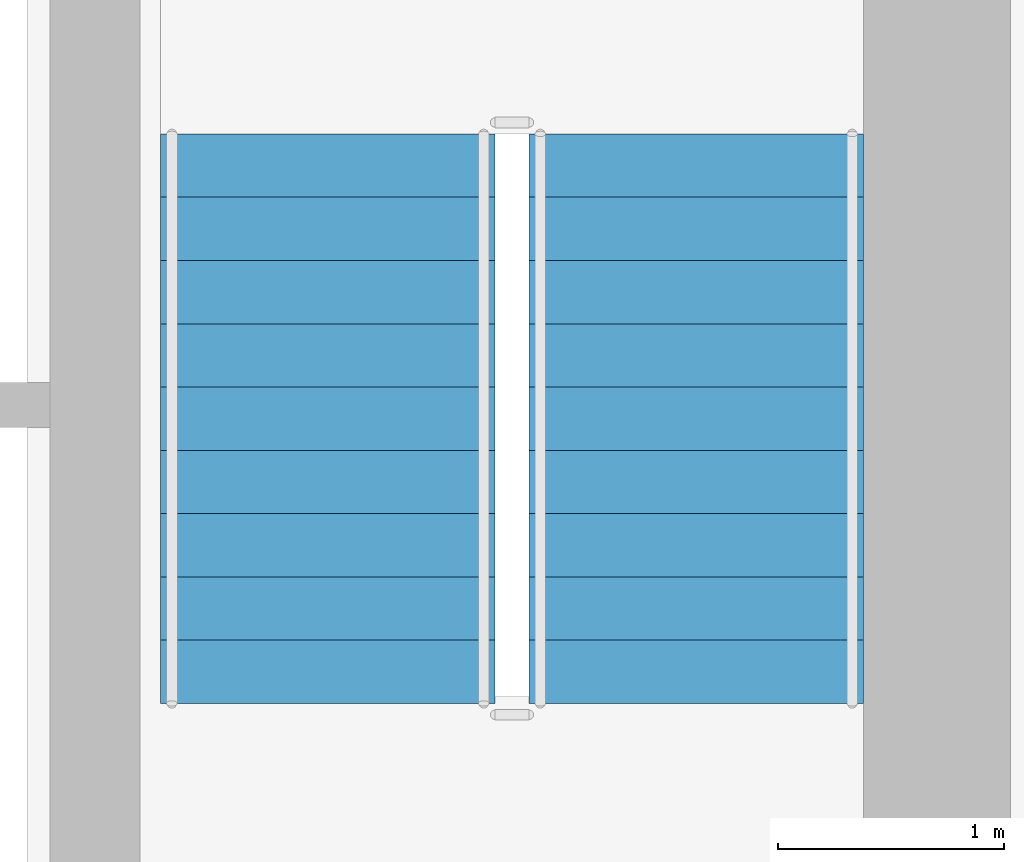
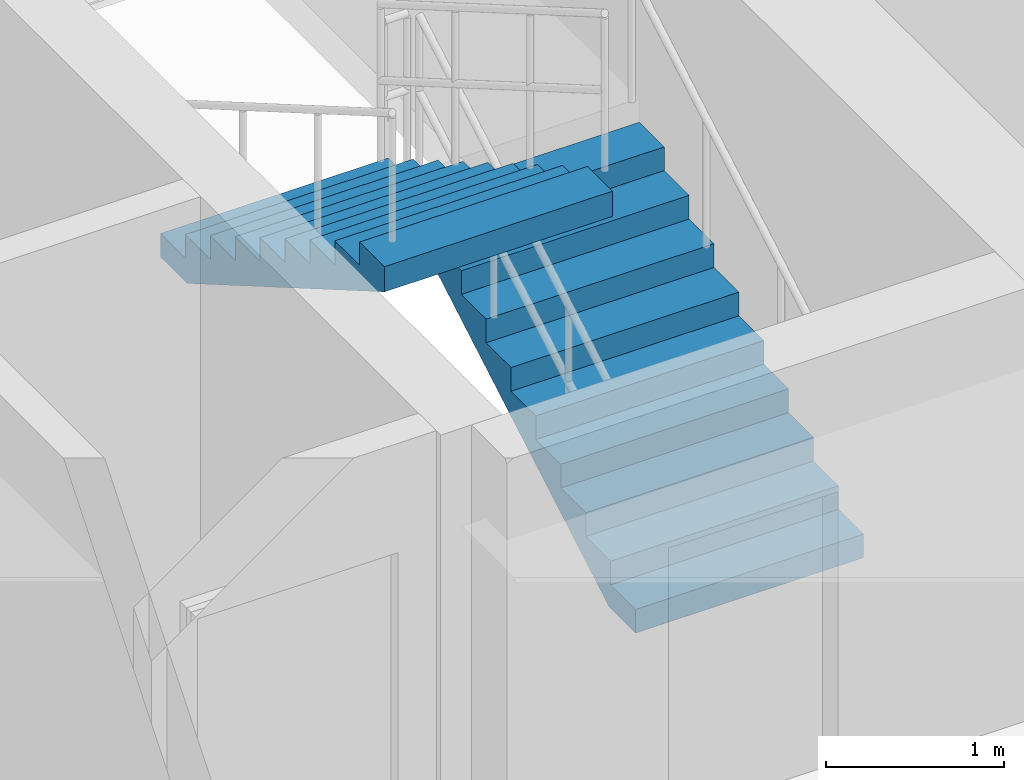
# One storey, part 27 of 29: 2 stair flights, 1 element without a shape of its own.
"""IFC4 building model written with IfcOpenShell, lengths in metres."""

from ifc_helpers import new_model, si_unit, direction, frame, origin, place, context, subcontext, project, spatial, polyline, outline, extrude, material, type_object, element, aggregate, save


model = new_model("IFC4")

# Units and contexts
model_context = context("Model", 3, precision=1e-05, world=origin(), true_north=direction((0.0, 1.0)))
body_context = subcontext(model_context, "Body", "Model", "MODEL_VIEW")
ifc_project = project(units=[si_unit("LENGTHUNIT", "METRE"), si_unit("AREAUNIT", "SQUARE_METRE"), si_unit("VOLUMEUNIT", "CUBIC_METRE"), si_unit("PLANEANGLEUNIT", "RADIAN"), si_unit("MASSUNIT", "GRAM", prefix="KILO")], contexts=[model_context])

# Site, building, storey
site_placement = place(None, origin())
site = spatial("IfcSite", under=ifc_project, at=site_placement, CompositionType="ELEMENT")
building_placement = place(site_placement, origin())
building = spatial("IfcBuilding", under=site, at=building_placement, Name="Veraguas Prism Commons", CompositionType="ELEMENT")
storey_placement = place(building_placement, frame((0.0, 0.0, 99.199951171875)))
storey = spatial("IfcBuildingStorey", under=building, at=storey_placement, Name="L27", CompositionType="ELEMENT", Elevation=99.199951171875)

# Stair, stair flights
ifc_material = material(Name="Precast concrete C45/55", Category="concrete")
stair_type = type_object("IfcStairType", Name="Dogleg Core Stair 1480W 20R 05", PredefinedType="HALF_TURN_STAIR", material=ifc_material)
stair_placement = place(storey_placement, origin())
stair = element("IfcStair", 1, at=stair_placement, inside=storey, type_object=stair_type, Name="Protected Exit Stair ST-02 L27", PredefinedType="HALF_TURN_STAIR")
stair_flight_type = type_object("IfcStairFlightType", Name="Precast Stair Flight 1480W 10R 05", PredefinedType="STRAIGHT", material=ifc_material)
stair_flight_1_placement = place(storey_placement, frame((29.659912109375, 21.280029296875, 0.0), z_axis=(0.0, 0.0, 1.0), x_axis=(0.0, 1.0, 0.0)))
stair_flight_1 = element("IfcStairFlight", 2, at=stair_flight_1_placement, type_object=stair_flight_type, Name="ST-05 Flight 1", NumberOfRisers=10, NumberOfTreads=9, PredefinedType="STRAIGHT", RiserHeight=0.1625, TreadLength=0.28, context=body_context, shape_type="SweptSolid", body=[
    extrude(outline(polyline([(0.0, 0.0), (0.0, 0.16259765625), (0.280029296875, 0.16259765625), (0.280029296875, 0.324951171875), (0.56005859375, 0.324951171875), (0.56005859375, 0.487548828125), (0.840087890625, 0.487548828125), (0.840087890625, 0.64990234375), (1.1201171875, 0.64990234375), (1.1201171875, 0.8125), (1.39990234375, 0.8125), (1.39990234375, 0.97509765625), (1.679931640625, 0.97509765625), (1.679931640625, 1.137451171875), (1.9599609375, 1.137451171875), (1.9599609375, 1.300048828125), (2.239990234375, 1.300048828125), (2.239990234375, 1.46240234375), (2.52001953125, 1.46240234375), (2.52001953125, 1.625), (2.52001953125, 1.2890625), (0.298583984375, 0.0), (0.0, 0.0)])), frame((0.0, 0.739990234375, 0.0), z_axis=(0.0, -1.0, 0.0), x_axis=(1.0, 0.0, 0.0)), (0.0, 0.0, 1.0), 1.47998046875),
])
stair_flight_2_placement = place(storey_placement, frame((28.030029296875, 23.800048828125, 1.625), z_axis=(0.0, 0.0, 1.0), x_axis=(0.0, -1.0, 0.0)))
stair_flight_2 = element("IfcStairFlight", 3, at=stair_flight_2_placement, type_object=stair_flight_type, Name="ST-05 Flight 2", NumberOfRisers=10, NumberOfTreads=9, PredefinedType="STRAIGHT", RiserHeight=0.1625, TreadLength=0.28, context=body_context, shape_type="SweptSolid", body=[
    extrude(outline(polyline([(0.0, 0.0), (0.0, 0.16259765625), (0.280029296875, 0.16259765625), (0.280029296875, 0.324951171875), (0.56005859375, 0.324951171875), (0.56005859375, 0.487548828125), (0.840087890625, 0.487548828125), (0.840087890625, 0.64990234375), (1.1201171875, 0.64990234375), (1.1201171875, 0.8125), (1.39990234375, 0.8125), (1.39990234375, 0.97509765625), (1.679931640625, 0.97509765625), (1.679931640625, 1.137451171875), (1.9599609375, 1.137451171875), (1.9599609375, 1.300048828125), (2.239990234375, 1.300048828125), (2.239990234375, 1.46240234375), (2.52001953125, 1.46240234375), (2.52001953125, 1.625), (2.52001953125, 1.2890625), (0.298583984375, 0.0), (0.0, 0.0)])), frame((0.0, 0.739990234375, 0.0), z_axis=(0.0, -1.0, 0.0), x_axis=(1.0, 0.0, 0.0)), (0.0, 0.0, 1.0), 1.47998046875),
])
aggregate(stair, [stair_flight_1, stair_flight_2])

save(model, "model.ifc")
